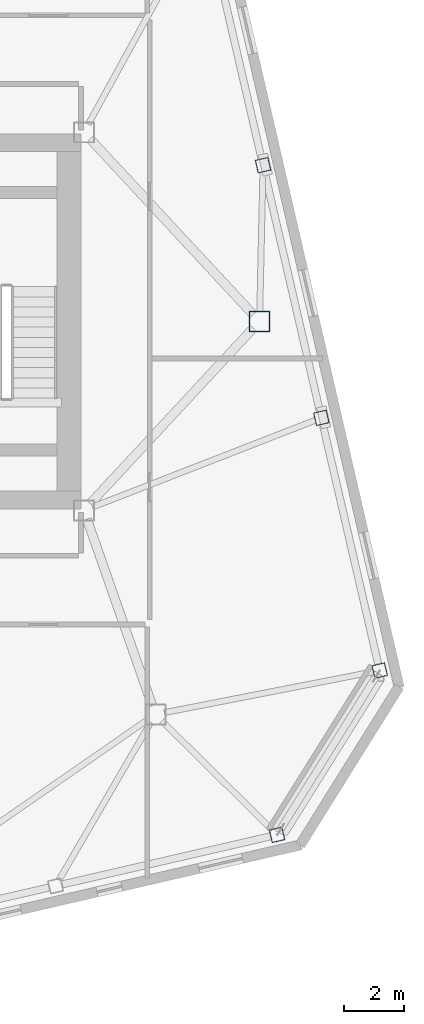
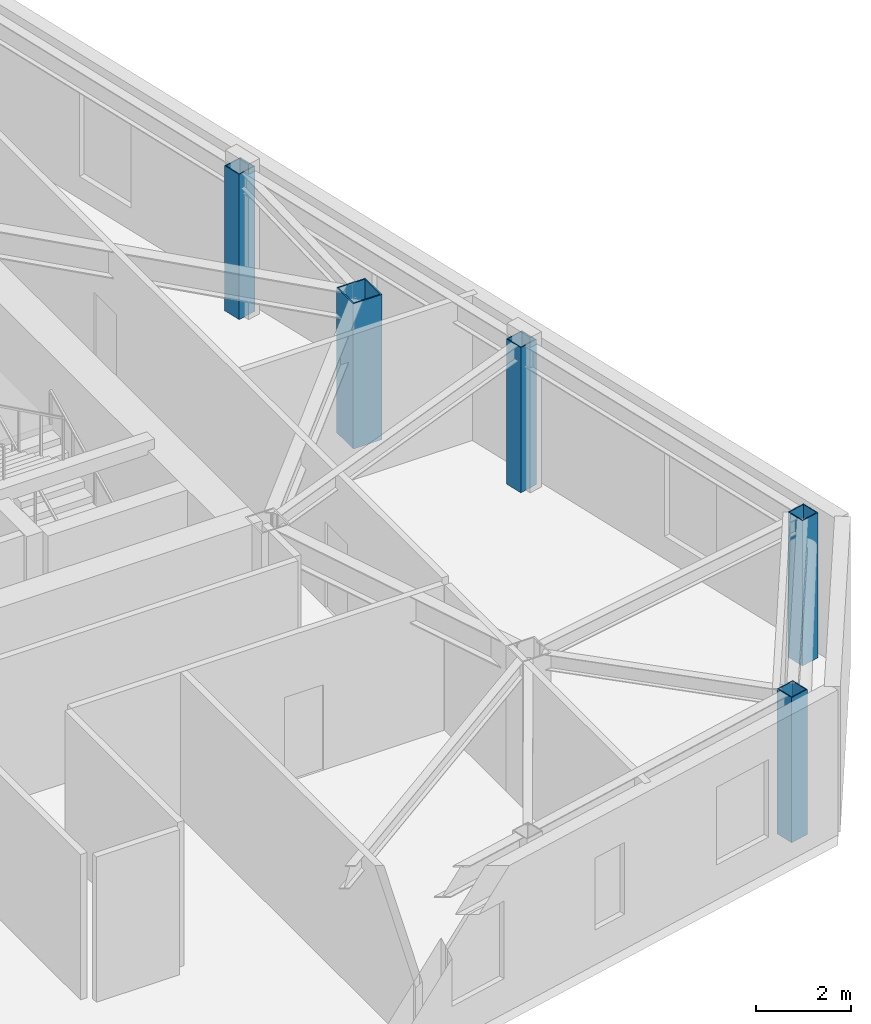
# One storey, part 3 of 23: 5 columns.
"""IFC4 building model written with IfcOpenShell, lengths in metres."""

from ifc_helpers import new_model, si_unit, direction, frame, origin, origin_2d, place, context, subcontext, project, spatial, hollow_rectangle, extrude, material, material_profile, profile_set, type_object, element, save


model = new_model("IFC4")

# Units and contexts
model_context = context("Model", 3, precision=1e-05, world=origin(), true_north=direction((0.0, 1.0)))
body_context = subcontext(model_context, "Body", "Model", "MODEL_VIEW")
ifc_project = project(units=[si_unit("LENGTHUNIT", "METRE"), si_unit("AREAUNIT", "SQUARE_METRE"), si_unit("VOLUMEUNIT", "CUBIC_METRE"), si_unit("PLANEANGLEUNIT", "RADIAN"), si_unit("MASSUNIT", "GRAM", prefix="KILO")], contexts=[model_context])

# Site, building, storey
site_placement = place(None, origin())
site = spatial("IfcSite", under=ifc_project, at=site_placement, CompositionType="ELEMENT")
building_placement = place(site_placement, origin())
building = spatial("IfcBuilding", under=site, at=building_placement, Name="Tavrogorsk Clinical Tower", CompositionType="ELEMENT")
storey_placement = place(building_placement, frame((0.0, 0.0, 297.0)))
storey = spatial("IfcBuildingStorey", under=building, at=storey_placement, Name="L69", CompositionType="ELEMENT", Elevation=297.0)

# Columns
ifc_material_1 = material(Name="Structural steel S440", Category="steel")
ifc_material_profile_1 = material_profile(ifc_material_1, hollow_rectangle(XDim=0.699951171875, YDim=0.699951171875, WallThickness=0.031982421875, at=origin_2d()), Name="BOX-700x700x32")
ifc_profile_set_1 = profile_set([ifc_material_profile_1], Name="Structural steel S440")
column_type_1 = type_object("IfcColumnType", Name="MegaCol_BOX700", PredefinedType="COLUMN", material=ifc_profile_set_1)
column_placement = place(storey_placement, frame((28.0, 0.0, 0.0), z_axis=(0.0, 0.0, 1.0), x_axis=(1.0, 0.0, 0.0)))
element("IfcColumn", 1, at=column_placement, inside=storey, type_object=column_type_1, Name="L69 Spine Pilotis Column MC-P6", PredefinedType="COLUMN", context=body_context, shape_type="SweptSolid", body=[
    extrude(hollow_rectangle(XDim=0.699951171875, YDim=0.699951171875, WallThickness=0.031982421875, at=origin_2d()), origin(), (0.0, 0.0, 1.0), 3.739990234375),
])
ifc_material_2 = material(Name="Structural steel S440", Category="steel")
ifc_material_profile_2 = material_profile(ifc_material_2, hollow_rectangle(XDim=0.449951171875, YDim=0.449951171875, WallThickness=0.02197265625, at=origin_2d()), Name="BOX-450x450x22")
ifc_profile_set_2 = profile_set([ifc_material_profile_2], Name="Structural steel S440")
column_type_2 = type_object("IfcColumnType", Name="PerimCol_B5_BOX450", PredefinedType="COLUMN", material=ifc_profile_set_2)
for number, where, z_axis, x_axis, name in (
    (2, (28.588623046875, -17.244873046875, 0.0), (0.0, 0.0, 1.0), (0.974370064785, 0.224951054344, 0.0), "L69 Perimeter Column S8"),
    (3, (32.035888671875, -11.72802734375, 0.0), (0.0, 0.0, 1.0), (0.974370064785, 0.224951054344, 0.0), "L69 Perimeter Column E1"),
    (4, (30.07666015625, -3.2412109375, 0.0), (0.0, 0.0, 1.0), (0.974370064785, 0.224951054344, 0.0), "L69 Perimeter Column E2"),
    (5, (28.1171875, 5.24560546875, 0.0), (0.0, 0.0, 1.0), (0.974370064785, 0.224951054344, 0.0), "L69 Perimeter Column E3"),
):
    element("IfcColumn", number, at=place(storey_placement, frame(where, z_axis=z_axis, x_axis=x_axis)), inside=storey, type_object=column_type_2, Name=name, PredefinedType="COLUMN", context=body_context, shape_type="SweptSolid", body=[
        extrude(hollow_rectangle(XDim=0.449951171875, YDim=0.449951171875, WallThickness=0.02197265625, at=origin_2d()), origin(), (0.0, 0.0, 1.0), 3.739990234375),
    ])

save(model, "model.ifc")
